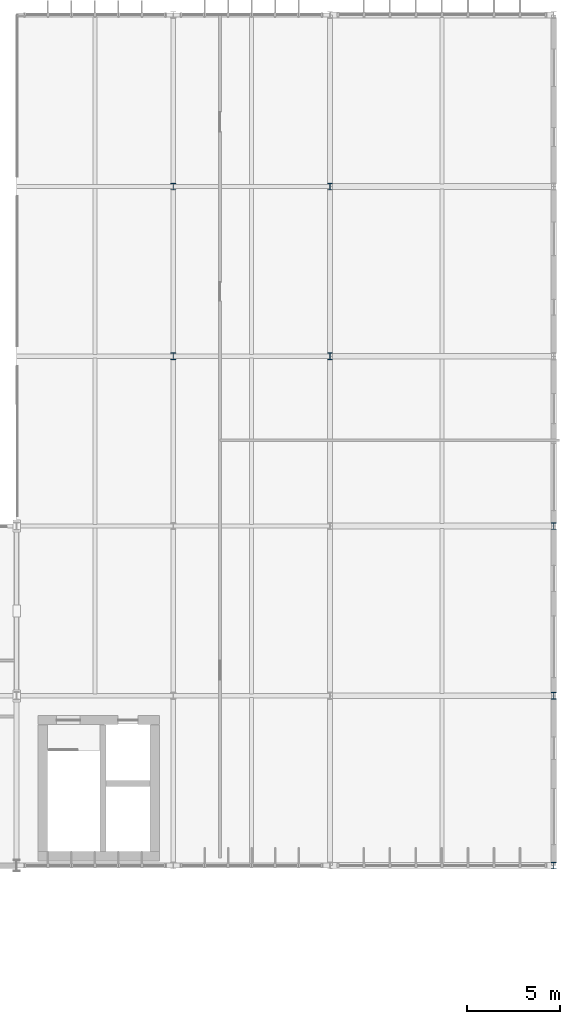
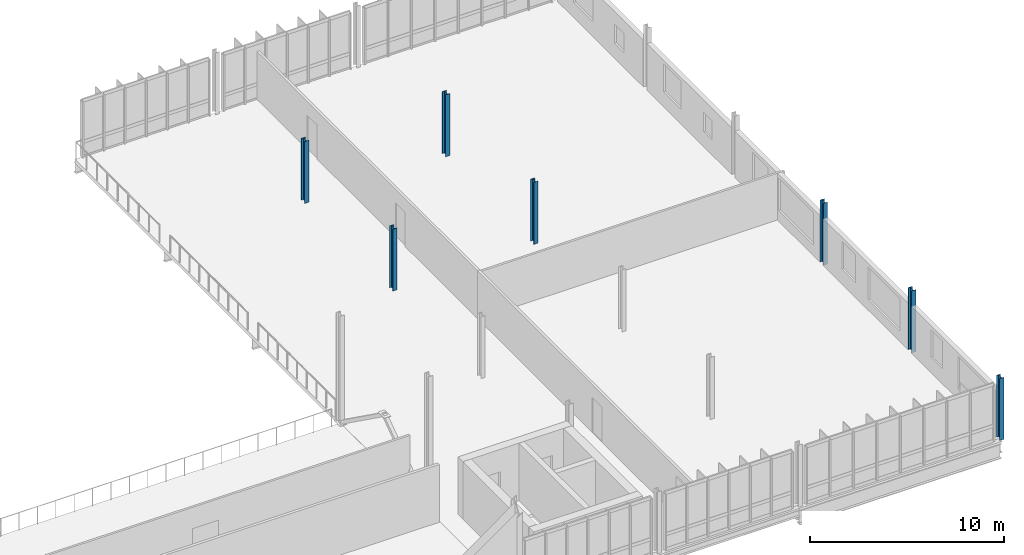
# One storey, part 6 of 61: 7 columns.
"""IFC4 building model written with IfcOpenShell, lengths in metres."""

from ifc_helpers import new_model, si_unit, derived_unit, direction, frame, origin, origin_2d, place, context, subcontext, project, spatial, i_section, extrude, material, material_profile, profile_set, type_object, element, save


model = new_model("IFC4")

# Units and contexts
model_context = context("Model", 3, precision=1e-05, world=origin(), true_north=direction((0.0, 1.0)))
body_context = subcontext(model_context, "Body", "Model", "MODEL_VIEW")
ifc_project = project(units=[si_unit("LENGTHUNIT", "METRE"), si_unit("AREAUNIT", "SQUARE_METRE"), si_unit("VOLUMEUNIT", "CUBIC_METRE"), si_unit("PLANEANGLEUNIT", "RADIAN"), si_unit("MASSUNIT", "GRAM", prefix="KILO"), derived_unit("THERMALTRANSMITTANCEUNIT", [(si_unit("MASSUNIT", "GRAM", prefix="KILO"), 1), (si_unit("TIMEUNIT", "SECOND"), -3), (si_unit("THERMODYNAMICTEMPERATUREUNIT", "KELVIN"), -1)])], contexts=[model_context])

# Site, building, storey
site_placement = place(None, origin())
site = spatial("IfcSite", under=ifc_project, at=site_placement, CompositionType="ELEMENT")
building_placement = place(site_placement, origin())
building = spatial("IfcBuilding", under=site, at=building_placement, Name="Makaiwela Harbour Ferry Terminal", CompositionType="ELEMENT")
storey_placement = place(building_placement, frame((0.0, 0.0, 13.800048828125)))
storey = spatial("IfcBuildingStorey", under=building, at=storey_placement, Name="L03", CompositionType="ELEMENT", Elevation=13.800048828125)

# Columns
ifc_material = material(Name="Steel ASTM A992 Grade 50", Category="steel")
ifc_material_profile = material_profile(ifc_material, i_section(OverallWidth=0.2548828125, OverallDepth=0.35693359375, WebThickness=0.010498046875, FlangeThickness=0.018310546875, at=origin_2d()), Name="W14X68")
ifc_profile_set = profile_set([ifc_material_profile], Name="Steel ASTM A992 Grade 50")
column_type = type_object("IfcColumnType", Name="STR-COL-W14X68", PredefinedType="COLUMN", material=ifc_profile_set)
for number, where, z_axis, x_axis, name in (
    (1, (147.0, 76.699951171875, 0.0), (0.0, 0.0, 1.0), (1.0, 0.0, 0.0), "Structural Column C-06"),
    (2, (147.0, 85.800048828125, 0.0), (0.0, 0.0, 1.0), (1.0, 0.0, 0.0), "Structural Column C-06"),
    (3, (155.39990234375, 76.699951171875, 0.0), (0.0, 0.0, 1.0), (1.0, 0.0, 0.0), "Structural Column C-06"),
    (4, (155.39990234375, 85.800048828125, 0.0), (0.0, 0.0, 1.0), (1.0, 0.0, 0.0), "Structural Column C-06"),
    (5, (167.39990234375, 49.39990234375, 0.0), (0.0, 0.0, 1.0), (1.0, 0.0, 0.0), "Structural Column C-06"),
    (6, (167.39990234375, 58.5, 0.0), (0.0, 0.0, 1.0), (1.0, 0.0, 0.0), "Structural Column C-06"),
    (7, (167.39990234375, 67.60009765625, 0.0), (0.0, 0.0, 1.0), (1.0, 0.0, 0.0), "Structural Column C-06"),
):
    element("IfcColumn", number, at=place(storey_placement, frame(where, z_axis=z_axis, x_axis=x_axis)), inside=storey, type_object=column_type, Name=name, PredefinedType="COLUMN", context=body_context, shape_type="SweptSolid", body=[
        extrude(i_section(OverallWidth=0.2548828125, OverallDepth=0.35693359375, WebThickness=0.010498046875, FlangeThickness=0.018310546875, at=origin_2d()), origin(), (0.0, 0.0, 1.0), 3.89990234375),
    ])

save(model, "model.ifc")
